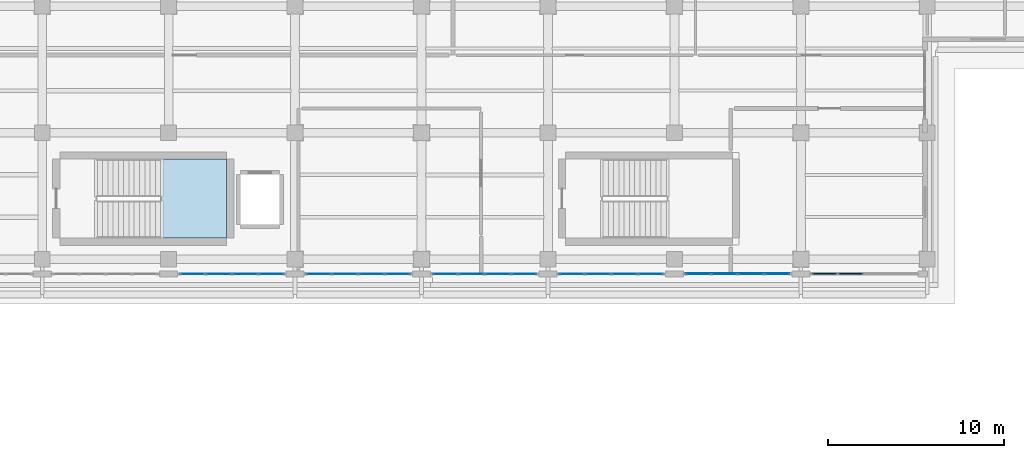
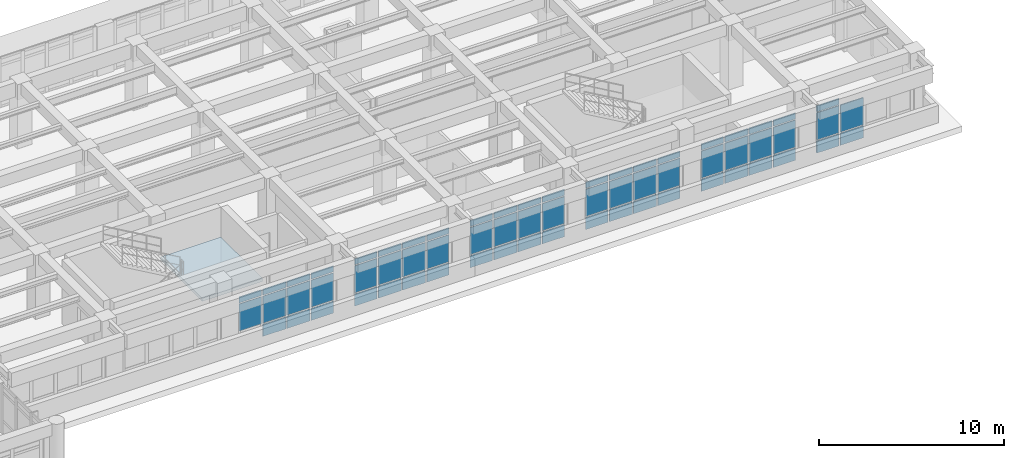
# One storey, part 37 of 69: 64 plates, 1 slab, 7 elements without a shape of their own.
"""IFC4 building model written with IfcOpenShell, lengths in metres."""

from ifc_helpers import new_model, si_unit, direction, frame, origin, origin_2d, place, context, subcontext, project, spatial, polyline, rectangle, outline, extrude, material, layer, layer_set, type_object, element, aggregate, save


model = new_model("IFC4")

# Units and contexts
model_context = context("Model", 3, precision=1e-05, world=origin(), true_north=direction((0.0, 1.0)))
body_context = subcontext(model_context, "Body", "Model", "MODEL_VIEW")
ifc_project = project(units=[si_unit("LENGTHUNIT", "METRE"), si_unit("AREAUNIT", "SQUARE_METRE"), si_unit("VOLUMEUNIT", "CUBIC_METRE"), si_unit("PLANEANGLEUNIT", "RADIAN"), si_unit("MASSUNIT", "GRAM", prefix="KILO")], contexts=[model_context])

# Site, building, storey
site_placement = place(None, origin())
site = spatial("IfcSite", under=ifc_project, at=site_placement, CompositionType="ELEMENT")
building_placement = place(site_placement, origin())
building = spatial("IfcBuilding", under=site, at=building_placement, Name="Solenvale Faculty of Natural Sciences", CompositionType="ELEMENT")
storey_placement = place(building_placement, frame((0.0, 0.0, 4.5)))
storey = spatial("IfcBuildingStorey", under=building, at=storey_placement, Name="L01", CompositionType="ELEMENT", Elevation=4.5)

# Curtain wall, plates
ifc_material_1 = material(Name="Anodised bronze aluminium", Category="aluminium")
ifc_layer_1 = layer(ifc_material_1, 0.18994140625)
ifc_layer_set_1 = layer_set([ifc_layer_1], Name="Anodised bronze aluminium")
curtain_wall_type = type_object("IfcCurtainWallType", Name="CW-TRAY-REC", PredefinedType="USERDEFINED", material=ifc_layer_set_1)
curtain_wall_1_placement = place(storey_placement, origin())
curtain_wall_1 = element("IfcCurtainWall", 1, at=curtain_wall_1_placement, inside=storey, type_object=curtain_wall_type, Name="L01 Curtain Wall CW-L01-P1-E5-B3", ObjectType="UNITISED CURTAIN WALL", PredefinedType="USERDEFINED")
ifc_material_2 = material(Name="Triple low-E insulated glass", Category="glass")
ifc_layer_2 = layer(ifc_material_2, 0.035888671875)
ifc_layer_set_2 = layer_set([ifc_layer_2], Name="Triple low-E insulated glass")
plate_type_1 = type_object("IfcPlateType", Name="CWP-PNL-36", PredefinedType="CURTAIN_PANEL", material=ifc_layer_set_2)
plate_1_placement = place(storey_placement, frame((73.353759765625, 20.762451171875, 0.9375), z_axis=(0.0, 0.0, 1.0), x_axis=(1.0, 0.0, 0.0)))
plate_1 = element("IfcPlate", 2, at=plate_1_placement, type_object=plate_type_1, Name="CW-02 panel 1.2", PredefinedType="CURTAIN_PANEL", context=body_context, shape_type="SweptSolid", body=[
    extrude(rectangle(XDim=1.3974609375, YDim=0.035888671875, at=origin_2d()), origin(), (0.0, 0.0, 1.0), 1.784912109375),
])
plate_2_placement = place(storey_placement, frame((73.353759765625, 20.762451171875, 2.79736328125), z_axis=(0.0, 0.0, 1.0), x_axis=(1.0, 0.0, 0.0)))
plate_2 = element("IfcPlate", 3, at=plate_2_placement, type_object=plate_type_1, Name="CW-02 panel 1.3", PredefinedType="CURTAIN_PANEL", context=body_context, shape_type="SweptSolid", body=[
    extrude(rectangle(XDim=1.3974609375, YDim=0.035888671875, at=origin_2d()), origin(), (0.0, 0.0, 1.0), 0.387451171875),
])
plate_3_placement = place(storey_placement, frame((74.844970703125, 20.762451171875, 0.074951171875), z_axis=(0.0, 0.0, 1.0), x_axis=(1.0, 0.0, 0.0)))
plate_3 = element("IfcPlate", 4, at=plate_3_placement, type_object=plate_type_1, Name="CW-02 panel 2.1", PredefinedType="CURTAIN_PANEL", context=body_context, shape_type="SweptSolid", body=[
    extrude(rectangle(XDim=1.43505859375, YDim=0.035888671875, at=origin_2d()), origin(), (0.0, 0.0, 1.0), 0.78759765625),
])
plate_4_placement = place(storey_placement, frame((74.844970703125, 20.762451171875, 0.9375), z_axis=(0.0, 0.0, 1.0), x_axis=(1.0, 0.0, 0.0)))
plate_4 = element("IfcPlate", 5, at=plate_4_placement, type_object=plate_type_1, Name="CW-02 panel 2.2", PredefinedType="CURTAIN_PANEL", context=body_context, shape_type="SweptSolid", body=[
    extrude(rectangle(XDim=1.43505859375, YDim=0.035888671875, at=origin_2d()), origin(), (0.0, 0.0, 1.0), 1.784912109375),
])
plate_5_placement = place(storey_placement, frame((74.844970703125, 20.762451171875, 2.79736328125), z_axis=(0.0, 0.0, 1.0), x_axis=(1.0, 0.0, 0.0)))
plate_5 = element("IfcPlate", 6, at=plate_5_placement, type_object=plate_type_1, Name="CW-02 panel 2.3", PredefinedType="CURTAIN_PANEL", context=body_context, shape_type="SweptSolid", body=[
    extrude(rectangle(XDim=1.43505859375, YDim=0.035888671875, at=origin_2d()), origin(), (0.0, 0.0, 1.0), 0.387451171875),
])
plate_6_placement = place(storey_placement, frame((76.35498046875, 20.762451171875, 0.074951171875), z_axis=(0.0, 0.0, 1.0), x_axis=(1.0, 0.0, 0.0)))
plate_6 = element("IfcPlate", 7, at=plate_6_placement, type_object=plate_type_1, Name="CW-02 panel 3.1", PredefinedType="CURTAIN_PANEL", context=body_context, shape_type="SweptSolid", body=[
    extrude(rectangle(XDim=1.43505859375, YDim=0.035888671875, at=origin_2d()), origin(), (0.0, 0.0, 1.0), 0.78759765625),
])
plate_7_placement = place(storey_placement, frame((76.35498046875, 20.762451171875, 0.9375), z_axis=(0.0, 0.0, 1.0), x_axis=(1.0, 0.0, 0.0)))
plate_7 = element("IfcPlate", 8, at=plate_7_placement, type_object=plate_type_1, Name="CW-02 panel 3.2", PredefinedType="CURTAIN_PANEL", context=body_context, shape_type="SweptSolid", body=[
    extrude(rectangle(XDim=1.43505859375, YDim=0.035888671875, at=origin_2d()), origin(), (0.0, 0.0, 1.0), 1.784912109375),
])
plate_8_placement = place(storey_placement, frame((76.35498046875, 20.762451171875, 2.79736328125), z_axis=(0.0, 0.0, 1.0), x_axis=(1.0, 0.0, 0.0)))
plate_8 = element("IfcPlate", 9, at=plate_8_placement, type_object=plate_type_1, Name="CW-02 panel 3.3", PredefinedType="CURTAIN_PANEL", context=body_context, shape_type="SweptSolid", body=[
    extrude(rectangle(XDim=1.43505859375, YDim=0.035888671875, at=origin_2d()), origin(), (0.0, 0.0, 1.0), 0.387451171875),
])
plate_9_placement = place(storey_placement, frame((77.84619140625, 20.762451171875, 0.074951171875), z_axis=(0.0, 0.0, 1.0), x_axis=(1.0, 0.0, 0.0)))
plate_9 = element("IfcPlate", 10, at=plate_9_placement, type_object=plate_type_1, Name="CW-02 panel 4.1", PredefinedType="CURTAIN_PANEL", context=body_context, shape_type="SweptSolid", body=[
    extrude(rectangle(XDim=1.3974609375, YDim=0.035888671875, at=origin_2d()), origin(), (0.0, 0.0, 1.0), 0.78759765625),
])
plate_10_placement = place(storey_placement, frame((77.84619140625, 20.762451171875, 0.9375), z_axis=(0.0, 0.0, 1.0), x_axis=(1.0, 0.0, 0.0)))
plate_10 = element("IfcPlate", 11, at=plate_10_placement, type_object=plate_type_1, Name="CW-02 panel 4.2", PredefinedType="CURTAIN_PANEL", context=body_context, shape_type="SweptSolid", body=[
    extrude(rectangle(XDim=1.3974609375, YDim=0.035888671875, at=origin_2d()), origin(), (0.0, 0.0, 1.0), 1.784912109375),
])
plate_11_placement = place(storey_placement, frame((77.84619140625, 20.762451171875, 2.79736328125), z_axis=(0.0, 0.0, 1.0), x_axis=(1.0, 0.0, 0.0)))
plate_11 = element("IfcPlate", 12, at=plate_11_placement, type_object=plate_type_1, Name="CW-02 panel 4.3", PredefinedType="CURTAIN_PANEL", context=body_context, shape_type="SweptSolid", body=[
    extrude(rectangle(XDim=1.3974609375, YDim=0.035888671875, at=origin_2d()), origin(), (0.0, 0.0, 1.0), 0.387451171875),
])
aggregate(curtain_wall_1, [plate_1, plate_2, plate_3, plate_4, plate_5, plate_6, plate_7, plate_8, plate_9, plate_10, plate_11])

curtain_wall_2_placement = place(storey_placement, origin())
curtain_wall_2 = element("IfcCurtainWall", 13, at=curtain_wall_2_placement, inside=storey, type_object=curtain_wall_type, Name="L01 Curtain Wall CW-L01-P1-E5-B4", ObjectType="UNITISED CURTAIN WALL", PredefinedType="USERDEFINED")
ifc_layer_3 = layer(ifc_material_2, 0.0400390625)
ifc_layer_set_3 = layer_set([ifc_layer_3], Name="Triple low-E insulated glass")
plate_type_2 = type_object("IfcPlateType", Name="CWP-PNL-40", PredefinedType="CURTAIN_PANEL", material=ifc_layer_set_3)
plate_12_placement = place(storey_placement, frame((80.5537109375, 20.762451171875, 0.074951171875), z_axis=(0.0, 0.0, 1.0), x_axis=(1.0, 0.0, 0.0)))
plate_12 = element("IfcPlate", 14, at=plate_12_placement, type_object=plate_type_2, Name="CW-02 panel 1.1", PredefinedType="CURTAIN_PANEL", context=body_context, shape_type="SweptSolid", body=[
    extrude(rectangle(XDim=1.3974609375, YDim=0.0400390625, at=origin_2d()), origin(), (0.0, 0.0, 1.0), 0.78759765625),
])
plate_13_placement = place(storey_placement, frame((80.5537109375, 20.762451171875, 0.9375), z_axis=(0.0, 0.0, 1.0), x_axis=(1.0, 0.0, 0.0)))
plate_13 = element("IfcPlate", 15, at=plate_13_placement, type_object=plate_type_2, Name="CW-02 panel 1.2", PredefinedType="CURTAIN_PANEL", context=body_context, shape_type="SweptSolid", body=[
    extrude(rectangle(XDim=1.3974609375, YDim=0.0400390625, at=origin_2d()), origin(), (0.0, 0.0, 1.0), 1.784912109375),
])
plate_14_placement = place(storey_placement, frame((80.5537109375, 20.762451171875, 2.79736328125), z_axis=(0.0, 0.0, 1.0), x_axis=(1.0, 0.0, 0.0)))
plate_14 = element("IfcPlate", 16, at=plate_14_placement, type_object=plate_type_2, Name="CW-02 panel 1.3", PredefinedType="CURTAIN_PANEL", context=body_context, shape_type="SweptSolid", body=[
    extrude(rectangle(XDim=1.3974609375, YDim=0.0400390625, at=origin_2d()), origin(), (0.0, 0.0, 1.0), 0.387451171875),
])
plate_15_placement = place(storey_placement, frame((82.044921875, 20.762451171875, 0.074951171875), z_axis=(0.0, 0.0, 1.0), x_axis=(1.0, 0.0, 0.0)))
plate_15 = element("IfcPlate", 17, at=plate_15_placement, type_object=plate_type_2, Name="CW-02 panel 2.1", PredefinedType="CURTAIN_PANEL", context=body_context, shape_type="SweptSolid", body=[
    extrude(rectangle(XDim=1.43505859375, YDim=0.0400390625, at=origin_2d()), origin(), (0.0, 0.0, 1.0), 0.78759765625),
])
plate_16_placement = place(storey_placement, frame((82.044921875, 20.762451171875, 0.9375), z_axis=(0.0, 0.0, 1.0), x_axis=(1.0, 0.0, 0.0)))
plate_16 = element("IfcPlate", 18, at=plate_16_placement, type_object=plate_type_2, Name="CW-02 panel 2.2", PredefinedType="CURTAIN_PANEL", context=body_context, shape_type="SweptSolid", body=[
    extrude(rectangle(XDim=1.43505859375, YDim=0.0400390625, at=origin_2d()), origin(), (0.0, 0.0, 1.0), 1.784912109375),
])
plate_17_placement = place(storey_placement, frame((82.044921875, 20.762451171875, 2.79736328125), z_axis=(0.0, 0.0, 1.0), x_axis=(1.0, 0.0, 0.0)))
plate_17 = element("IfcPlate", 19, at=plate_17_placement, type_object=plate_type_2, Name="CW-02 panel 2.3", PredefinedType="CURTAIN_PANEL", context=body_context, shape_type="SweptSolid", body=[
    extrude(rectangle(XDim=1.43505859375, YDim=0.0400390625, at=origin_2d()), origin(), (0.0, 0.0, 1.0), 0.387451171875),
])
plate_18_placement = place(storey_placement, frame((83.554931640625, 20.762451171875, 0.074951171875), z_axis=(0.0, 0.0, 1.0), x_axis=(1.0, 0.0, 0.0)))
plate_18 = element("IfcPlate", 20, at=plate_18_placement, type_object=plate_type_2, Name="CW-02 panel 3.1", PredefinedType="CURTAIN_PANEL", context=body_context, shape_type="SweptSolid", body=[
    extrude(rectangle(XDim=1.43505859375, YDim=0.0400390625, at=origin_2d()), origin(), (0.0, 0.0, 1.0), 0.78759765625),
])
plate_19_placement = place(storey_placement, frame((83.554931640625, 20.762451171875, 0.9375), z_axis=(0.0, 0.0, 1.0), x_axis=(1.0, 0.0, 0.0)))
plate_19 = element("IfcPlate", 21, at=plate_19_placement, type_object=plate_type_2, Name="CW-02 panel 3.2", PredefinedType="CURTAIN_PANEL", context=body_context, shape_type="SweptSolid", body=[
    extrude(rectangle(XDim=1.43505859375, YDim=0.0400390625, at=origin_2d()), origin(), (0.0, 0.0, 1.0), 1.784912109375),
])
plate_20_placement = place(storey_placement, frame((83.554931640625, 20.762451171875, 2.79736328125), z_axis=(0.0, 0.0, 1.0), x_axis=(1.0, 0.0, 0.0)))
plate_20 = element("IfcPlate", 22, at=plate_20_placement, type_object=plate_type_2, Name="CW-02 panel 3.3", PredefinedType="CURTAIN_PANEL", context=body_context, shape_type="SweptSolid", body=[
    extrude(rectangle(XDim=1.43505859375, YDim=0.0400390625, at=origin_2d()), origin(), (0.0, 0.0, 1.0), 0.387451171875),
])
plate_21_placement = place(storey_placement, frame((85.046142578125, 20.762451171875, 0.074951171875), z_axis=(0.0, 0.0, 1.0), x_axis=(1.0, 0.0, 0.0)))
plate_21 = element("IfcPlate", 23, at=plate_21_placement, type_object=plate_type_2, Name="CW-02 panel 4.1", PredefinedType="CURTAIN_PANEL", context=body_context, shape_type="SweptSolid", body=[
    extrude(rectangle(XDim=1.3974609375, YDim=0.0400390625, at=origin_2d()), origin(), (0.0, 0.0, 1.0), 0.78759765625),
])
plate_22_placement = place(storey_placement, frame((85.046142578125, 20.762451171875, 0.9375), z_axis=(0.0, 0.0, 1.0), x_axis=(1.0, 0.0, 0.0)))
plate_22 = element("IfcPlate", 24, at=plate_22_placement, type_object=plate_type_2, Name="CW-02 panel 4.2", PredefinedType="CURTAIN_PANEL", context=body_context, shape_type="SweptSolid", body=[
    extrude(rectangle(XDim=1.3974609375, YDim=0.0400390625, at=origin_2d()), origin(), (0.0, 0.0, 1.0), 1.784912109375),
])
plate_23_placement = place(storey_placement, frame((85.046142578125, 20.762451171875, 2.79736328125), z_axis=(0.0, 0.0, 1.0), x_axis=(1.0, 0.0, 0.0)))
plate_23 = element("IfcPlate", 25, at=plate_23_placement, type_object=plate_type_2, Name="CW-02 panel 4.3", PredefinedType="CURTAIN_PANEL", context=body_context, shape_type="SweptSolid", body=[
    extrude(rectangle(XDim=1.3974609375, YDim=0.0400390625, at=origin_2d()), origin(), (0.0, 0.0, 1.0), 0.387451171875),
])
aggregate(curtain_wall_2, [plate_12, plate_13, plate_14, plate_15, plate_16, plate_17, plate_18, plate_19, plate_20, plate_21, plate_22, plate_23])

curtain_wall_3_placement = place(storey_placement, origin())
curtain_wall_3 = element("IfcCurtainWall", 26, at=curtain_wall_3_placement, inside=storey, type_object=curtain_wall_type, Name="L01 Curtain Wall CW-L01-P1-E5-B5", ObjectType="UNITISED CURTAIN WALL", PredefinedType="USERDEFINED")
ifc_layer_4 = layer(ifc_material_2, 0.0439453125)
ifc_layer_set_4 = layer_set([ifc_layer_4], Name="Triple low-E insulated glass")
plate_type_3 = type_object("IfcPlateType", Name="CWP-PNL-44", PredefinedType="CURTAIN_PANEL", material=ifc_layer_set_4)
plate_24_placement = place(storey_placement, frame((87.753662109375, 20.762451171875, 0.074951171875), z_axis=(0.0, 0.0, 1.0), x_axis=(1.0, 0.0, 0.0)))
plate_24 = element("IfcPlate", 27, at=plate_24_placement, type_object=plate_type_3, Name="CW-02 panel 1.1", PredefinedType="CURTAIN_PANEL", context=body_context, shape_type="SweptSolid", body=[
    extrude(rectangle(XDim=1.3974609375, YDim=0.0439453125, at=origin_2d()), origin(), (0.0, 0.0, 1.0), 0.78759765625),
])
plate_25_placement = place(storey_placement, frame((87.753662109375, 20.762451171875, 0.9375), z_axis=(0.0, 0.0, 1.0), x_axis=(1.0, 0.0, 0.0)))
plate_25 = element("IfcPlate", 28, at=plate_25_placement, type_object=plate_type_3, Name="CW-02 panel 1.2", PredefinedType="CURTAIN_PANEL", context=body_context, shape_type="SweptSolid", body=[
    extrude(rectangle(XDim=1.3974609375, YDim=0.0439453125, at=origin_2d()), origin(), (0.0, 0.0, 1.0), 1.784912109375),
])
plate_26_placement = place(storey_placement, frame((87.753662109375, 20.762451171875, 2.79736328125), z_axis=(0.0, 0.0, 1.0), x_axis=(1.0, 0.0, 0.0)))
plate_26 = element("IfcPlate", 29, at=plate_26_placement, type_object=plate_type_3, Name="CW-02 panel 1.3", PredefinedType="CURTAIN_PANEL", context=body_context, shape_type="SweptSolid", body=[
    extrude(rectangle(XDim=1.3974609375, YDim=0.0439453125, at=origin_2d()), origin(), (0.0, 0.0, 1.0), 0.387451171875),
])
plate_27_placement = place(storey_placement, frame((89.2451171875, 20.762451171875, 0.074951171875), z_axis=(0.0, 0.0, 1.0), x_axis=(1.0, 0.0, 0.0)))
plate_27 = element("IfcPlate", 30, at=plate_27_placement, type_object=plate_type_3, Name="CW-02 panel 2.1", PredefinedType="CURTAIN_PANEL", context=body_context, shape_type="SweptSolid", body=[
    extrude(rectangle(XDim=1.43505859375, YDim=0.0439453125, at=origin_2d()), origin(), (0.0, 0.0, 1.0), 0.78759765625),
])
plate_28_placement = place(storey_placement, frame((89.2451171875, 20.762451171875, 0.9375), z_axis=(0.0, 0.0, 1.0), x_axis=(1.0, 0.0, 0.0)))
plate_28 = element("IfcPlate", 31, at=plate_28_placement, type_object=plate_type_3, Name="CW-02 panel 2.2", PredefinedType="CURTAIN_PANEL", context=body_context, shape_type="SweptSolid", body=[
    extrude(rectangle(XDim=1.43505859375, YDim=0.0439453125, at=origin_2d()), origin(), (0.0, 0.0, 1.0), 1.784912109375),
])
plate_29_placement = place(storey_placement, frame((89.2451171875, 20.762451171875, 2.79736328125), z_axis=(0.0, 0.0, 1.0), x_axis=(1.0, 0.0, 0.0)))
plate_29 = element("IfcPlate", 32, at=plate_29_placement, type_object=plate_type_3, Name="CW-02 panel 2.3", PredefinedType="CURTAIN_PANEL", context=body_context, shape_type="SweptSolid", body=[
    extrude(rectangle(XDim=1.43505859375, YDim=0.0439453125, at=origin_2d()), origin(), (0.0, 0.0, 1.0), 0.387451171875),
])
plate_30_placement = place(storey_placement, frame((90.7548828125, 20.762451171875, 0.074951171875), z_axis=(0.0, 0.0, 1.0), x_axis=(1.0, 0.0, 0.0)))
plate_30 = element("IfcPlate", 33, at=plate_30_placement, type_object=plate_type_3, Name="CW-02 panel 3.1", PredefinedType="CURTAIN_PANEL", context=body_context, shape_type="SweptSolid", body=[
    extrude(rectangle(XDim=1.43505859375, YDim=0.0439453125, at=origin_2d()), origin(), (0.0, 0.0, 1.0), 0.78759765625),
])
plate_31_placement = place(storey_placement, frame((90.7548828125, 20.762451171875, 0.9375), z_axis=(0.0, 0.0, 1.0), x_axis=(1.0, 0.0, 0.0)))
plate_31 = element("IfcPlate", 34, at=plate_31_placement, type_object=plate_type_3, Name="CW-02 panel 3.2", PredefinedType="CURTAIN_PANEL", context=body_context, shape_type="SweptSolid", body=[
    extrude(rectangle(XDim=1.43505859375, YDim=0.0439453125, at=origin_2d()), origin(), (0.0, 0.0, 1.0), 1.784912109375),
])
plate_32_placement = place(storey_placement, frame((90.7548828125, 20.762451171875, 2.79736328125), z_axis=(0.0, 0.0, 1.0), x_axis=(1.0, 0.0, 0.0)))
plate_32 = element("IfcPlate", 35, at=plate_32_placement, type_object=plate_type_3, Name="CW-02 panel 3.3", PredefinedType="CURTAIN_PANEL", context=body_context, shape_type="SweptSolid", body=[
    extrude(rectangle(XDim=1.43505859375, YDim=0.0439453125, at=origin_2d()), origin(), (0.0, 0.0, 1.0), 0.387451171875),
])
plate_33_placement = place(storey_placement, frame((92.246337890625, 20.762451171875, 0.074951171875), z_axis=(0.0, 0.0, 1.0), x_axis=(1.0, 0.0, 0.0)))
plate_33 = element("IfcPlate", 36, at=plate_33_placement, type_object=plate_type_3, Name="CW-02 panel 4.1", PredefinedType="CURTAIN_PANEL", context=body_context, shape_type="SweptSolid", body=[
    extrude(rectangle(XDim=1.3974609375, YDim=0.0439453125, at=origin_2d()), origin(), (0.0, 0.0, 1.0), 0.78759765625),
])
plate_34_placement = place(storey_placement, frame((92.246337890625, 20.762451171875, 0.9375), z_axis=(0.0, 0.0, 1.0), x_axis=(1.0, 0.0, 0.0)))
plate_34 = element("IfcPlate", 37, at=plate_34_placement, type_object=plate_type_3, Name="CW-02 panel 4.2", PredefinedType="CURTAIN_PANEL", context=body_context, shape_type="SweptSolid", body=[
    extrude(rectangle(XDim=1.3974609375, YDim=0.0439453125, at=origin_2d()), origin(), (0.0, 0.0, 1.0), 1.784912109375),
])
plate_35_placement = place(storey_placement, frame((92.246337890625, 20.762451171875, 2.79736328125), z_axis=(0.0, 0.0, 1.0), x_axis=(1.0, 0.0, 0.0)))
plate_35 = element("IfcPlate", 38, at=plate_35_placement, type_object=plate_type_3, Name="CW-02 panel 4.3", PredefinedType="CURTAIN_PANEL", context=body_context, shape_type="SweptSolid", body=[
    extrude(rectangle(XDim=1.3974609375, YDim=0.0439453125, at=origin_2d()), origin(), (0.0, 0.0, 1.0), 0.387451171875),
])
aggregate(curtain_wall_3, [plate_24, plate_25, plate_26, plate_27, plate_28, plate_29, plate_30, plate_31, plate_32, plate_33, plate_34, plate_35])

curtain_wall_4_placement = place(storey_placement, origin())
curtain_wall_4 = element("IfcCurtainWall", 39, at=curtain_wall_4_placement, inside=storey, type_object=curtain_wall_type, Name="L01 Curtain Wall CW-L01-P1-E5-B6", ObjectType="UNITISED CURTAIN WALL", PredefinedType="USERDEFINED")
ifc_layer_5 = layer(ifc_material_1, 0.048095703125)
ifc_layer_set_5 = layer_set([ifc_layer_5], Name="Anodised bronze aluminium")
plate_type_4 = type_object("IfcPlateType", Name="CWP-PNL-48", PredefinedType="CURTAIN_PANEL", material=ifc_layer_set_5)
plate_36_placement = place(storey_placement, frame((94.953857421875, 20.762451171875, 0.074951171875), z_axis=(0.0, 0.0, 1.0), x_axis=(1.0, 0.0, 0.0)))
plate_36 = element("IfcPlate", 40, at=plate_36_placement, type_object=plate_type_4, Name="CW-02 panel 1.1", PredefinedType="CURTAIN_PANEL", context=body_context, shape_type="SweptSolid", body=[
    extrude(rectangle(XDim=1.3974609375, YDim=0.048095703125, at=origin_2d()), origin(), (0.0, 0.0, 1.0), 0.78759765625),
])
plate_37_placement = place(storey_placement, frame((94.953857421875, 20.762451171875, 0.9375), z_axis=(0.0, 0.0, 1.0), x_axis=(1.0, 0.0, 0.0)))
plate_37 = element("IfcPlate", 41, at=plate_37_placement, type_object=plate_type_4, Name="CW-02 panel 1.2", PredefinedType="CURTAIN_PANEL", context=body_context, shape_type="SweptSolid", body=[
    extrude(rectangle(XDim=1.3974609375, YDim=0.048095703125, at=origin_2d()), origin(), (0.0, 0.0, 1.0), 1.784912109375),
])
plate_38_placement = place(storey_placement, frame((94.953857421875, 20.762451171875, 2.79736328125), z_axis=(0.0, 0.0, 1.0), x_axis=(1.0, 0.0, 0.0)))
plate_38 = element("IfcPlate", 42, at=plate_38_placement, type_object=plate_type_4, Name="CW-02 panel 1.3", PredefinedType="CURTAIN_PANEL", context=body_context, shape_type="SweptSolid", body=[
    extrude(rectangle(XDim=1.3974609375, YDim=0.048095703125, at=origin_2d()), origin(), (0.0, 0.0, 1.0), 0.387451171875),
])
plate_39_placement = place(storey_placement, frame((96.445068359375, 20.762451171875, 0.074951171875), z_axis=(0.0, 0.0, 1.0), x_axis=(1.0, 0.0, 0.0)))
plate_39 = element("IfcPlate", 43, at=plate_39_placement, type_object=plate_type_4, Name="CW-02 panel 2.1", PredefinedType="CURTAIN_PANEL", context=body_context, shape_type="SweptSolid", body=[
    extrude(rectangle(XDim=1.43505859375, YDim=0.048095703125, at=origin_2d()), origin(), (0.0, 0.0, 1.0), 0.78759765625),
])
plate_40_placement = place(storey_placement, frame((96.445068359375, 20.762451171875, 0.9375), z_axis=(0.0, 0.0, 1.0), x_axis=(1.0, 0.0, 0.0)))
plate_40 = element("IfcPlate", 44, at=plate_40_placement, type_object=plate_type_4, Name="CW-02 panel 2.2", PredefinedType="CURTAIN_PANEL", context=body_context, shape_type="SweptSolid", body=[
    extrude(rectangle(XDim=1.43505859375, YDim=0.048095703125, at=origin_2d()), origin(), (0.0, 0.0, 1.0), 1.784912109375),
])
plate_41_placement = place(storey_placement, frame((96.445068359375, 20.762451171875, 2.79736328125), z_axis=(0.0, 0.0, 1.0), x_axis=(1.0, 0.0, 0.0)))
plate_41 = element("IfcPlate", 45, at=plate_41_placement, type_object=plate_type_4, Name="CW-02 panel 2.3", PredefinedType="CURTAIN_PANEL", context=body_context, shape_type="SweptSolid", body=[
    extrude(rectangle(XDim=1.43505859375, YDim=0.048095703125, at=origin_2d()), origin(), (0.0, 0.0, 1.0), 0.387451171875),
])
plate_42_placement = place(storey_placement, frame((97.955078125, 20.762451171875, 0.074951171875), z_axis=(0.0, 0.0, 1.0), x_axis=(1.0, 0.0, 0.0)))
plate_42 = element("IfcPlate", 46, at=plate_42_placement, type_object=plate_type_4, Name="CW-02 panel 3.1", PredefinedType="CURTAIN_PANEL", context=body_context, shape_type="SweptSolid", body=[
    extrude(rectangle(XDim=1.43505859375, YDim=0.048095703125, at=origin_2d()), origin(), (0.0, 0.0, 1.0), 0.78759765625),
])
plate_43_placement = place(storey_placement, frame((97.955078125, 20.762451171875, 0.9375), z_axis=(0.0, 0.0, 1.0), x_axis=(1.0, 0.0, 0.0)))
plate_43 = element("IfcPlate", 47, at=plate_43_placement, type_object=plate_type_4, Name="CW-02 panel 3.2", PredefinedType="CURTAIN_PANEL", context=body_context, shape_type="SweptSolid", body=[
    extrude(rectangle(XDim=1.43505859375, YDim=0.048095703125, at=origin_2d()), origin(), (0.0, 0.0, 1.0), 1.784912109375),
])
plate_44_placement = place(storey_placement, frame((97.955078125, 20.762451171875, 2.79736328125), z_axis=(0.0, 0.0, 1.0), x_axis=(1.0, 0.0, 0.0)))
plate_44 = element("IfcPlate", 48, at=plate_44_placement, type_object=plate_type_4, Name="CW-02 panel 3.3", PredefinedType="CURTAIN_PANEL", context=body_context, shape_type="SweptSolid", body=[
    extrude(rectangle(XDim=1.43505859375, YDim=0.048095703125, at=origin_2d()), origin(), (0.0, 0.0, 1.0), 0.387451171875),
])
plate_45_placement = place(storey_placement, frame((99.4462890625, 20.762451171875, 0.074951171875), z_axis=(0.0, 0.0, 1.0), x_axis=(1.0, 0.0, 0.0)))
plate_45 = element("IfcPlate", 49, at=plate_45_placement, type_object=plate_type_4, Name="CW-02 panel 4.1", PredefinedType="CURTAIN_PANEL", context=body_context, shape_type="SweptSolid", body=[
    extrude(rectangle(XDim=1.3974609375, YDim=0.048095703125, at=origin_2d()), origin(), (0.0, 0.0, 1.0), 0.78759765625),
])
plate_46_placement = place(storey_placement, frame((99.4462890625, 20.762451171875, 0.9375), z_axis=(0.0, 0.0, 1.0), x_axis=(1.0, 0.0, 0.0)))
plate_46 = element("IfcPlate", 50, at=plate_46_placement, type_object=plate_type_4, Name="CW-02 panel 4.2", PredefinedType="CURTAIN_PANEL", context=body_context, shape_type="SweptSolid", body=[
    extrude(rectangle(XDim=1.3974609375, YDim=0.048095703125, at=origin_2d()), origin(), (0.0, 0.0, 1.0), 1.784912109375),
])
plate_47_placement = place(storey_placement, frame((99.4462890625, 20.762451171875, 2.79736328125), z_axis=(0.0, 0.0, 1.0), x_axis=(1.0, 0.0, 0.0)))
plate_47 = element("IfcPlate", 51, at=plate_47_placement, type_object=plate_type_4, Name="CW-02 panel 4.3", PredefinedType="CURTAIN_PANEL", context=body_context, shape_type="SweptSolid", body=[
    extrude(rectangle(XDim=1.3974609375, YDim=0.048095703125, at=origin_2d()), origin(), (0.0, 0.0, 1.0), 0.387451171875),
])
aggregate(curtain_wall_4, [plate_36, plate_37, plate_38, plate_39, plate_40, plate_41, plate_42, plate_43, plate_44, plate_45, plate_46, plate_47])

curtain_wall_5_placement = place(storey_placement, origin())
curtain_wall_5 = element("IfcCurtainWall", 52, at=curtain_wall_5_placement, inside=storey, type_object=curtain_wall_type, Name="L01 Curtain Wall CW-L01-P1-E5-B7", ObjectType="UNITISED CURTAIN WALL", PredefinedType="USERDEFINED")
ifc_layer_6 = layer(ifc_material_1, 0.053955078125)
ifc_layer_set_6 = layer_set([ifc_layer_6], Name="Anodised bronze aluminium")
plate_type_5 = type_object("IfcPlateType", Name="CWP-PNL-54", PredefinedType="CURTAIN_PANEL", material=ifc_layer_set_6)
plate_48_placement = place(storey_placement, frame((102.15380859375, 20.762451171875, 0.074951171875), z_axis=(0.0, 0.0, 1.0), x_axis=(1.0, 0.0, 0.0)))
plate_48 = element("IfcPlate", 53, at=plate_48_placement, type_object=plate_type_5, Name="CW-02 panel 1.1", PredefinedType="CURTAIN_PANEL", context=body_context, shape_type="SweptSolid", body=[
    extrude(rectangle(XDim=1.3974609375, YDim=0.053955078125, at=origin_2d()), origin(), (0.0, 0.0, 1.0), 0.78759765625),
])
plate_49_placement = place(storey_placement, frame((102.15380859375, 20.762451171875, 0.9375), z_axis=(0.0, 0.0, 1.0), x_axis=(1.0, 0.0, 0.0)))
plate_49 = element("IfcPlate", 54, at=plate_49_placement, type_object=plate_type_5, Name="CW-02 panel 1.2", PredefinedType="CURTAIN_PANEL", context=body_context, shape_type="SweptSolid", body=[
    extrude(rectangle(XDim=1.3974609375, YDim=0.053955078125, at=origin_2d()), origin(), (0.0, 0.0, 1.0), 1.784912109375),
])
plate_50_placement = place(storey_placement, frame((102.15380859375, 20.762451171875, 2.79736328125), z_axis=(0.0, 0.0, 1.0), x_axis=(1.0, 0.0, 0.0)))
plate_50 = element("IfcPlate", 55, at=plate_50_placement, type_object=plate_type_5, Name="CW-02 panel 1.3", PredefinedType="CURTAIN_PANEL", context=body_context, shape_type="SweptSolid", body=[
    extrude(rectangle(XDim=1.3974609375, YDim=0.053955078125, at=origin_2d()), origin(), (0.0, 0.0, 1.0), 0.387451171875),
])
plate_51_placement = place(storey_placement, frame((103.64501953125, 20.762451171875, 0.074951171875), z_axis=(0.0, 0.0, 1.0), x_axis=(1.0, 0.0, 0.0)))
plate_51 = element("IfcPlate", 56, at=plate_51_placement, type_object=plate_type_5, Name="CW-02 panel 2.1", PredefinedType="CURTAIN_PANEL", context=body_context, shape_type="SweptSolid", body=[
    extrude(rectangle(XDim=1.43505859375, YDim=0.053955078125, at=origin_2d()), origin(), (0.0, 0.0, 1.0), 0.78759765625),
])
plate_52_placement = place(storey_placement, frame((103.64501953125, 20.762451171875, 0.9375), z_axis=(0.0, 0.0, 1.0), x_axis=(1.0, 0.0, 0.0)))
plate_52 = element("IfcPlate", 57, at=plate_52_placement, type_object=plate_type_5, Name="CW-02 panel 2.2", PredefinedType="CURTAIN_PANEL", context=body_context, shape_type="SweptSolid", body=[
    extrude(rectangle(XDim=1.43505859375, YDim=0.053955078125, at=origin_2d()), origin(), (0.0, 0.0, 1.0), 1.784912109375),
])
plate_53_placement = place(storey_placement, frame((103.64501953125, 20.762451171875, 2.79736328125), z_axis=(0.0, 0.0, 1.0), x_axis=(1.0, 0.0, 0.0)))
plate_53 = element("IfcPlate", 58, at=plate_53_placement, type_object=plate_type_5, Name="CW-02 panel 2.3", PredefinedType="CURTAIN_PANEL", context=body_context, shape_type="SweptSolid", body=[
    extrude(rectangle(XDim=1.43505859375, YDim=0.053955078125, at=origin_2d()), origin(), (0.0, 0.0, 1.0), 0.387451171875),
])
plate_54_placement = place(storey_placement, frame((105.155029296875, 20.762451171875, 0.074951171875), z_axis=(0.0, 0.0, 1.0), x_axis=(1.0, 0.0, 0.0)))
plate_54 = element("IfcPlate", 59, at=plate_54_placement, type_object=plate_type_5, Name="CW-02 panel 3.1", PredefinedType="CURTAIN_PANEL", context=body_context, shape_type="SweptSolid", body=[
    extrude(rectangle(XDim=1.43505859375, YDim=0.053955078125, at=origin_2d()), origin(), (0.0, 0.0, 1.0), 0.78759765625),
])
plate_55_placement = place(storey_placement, frame((105.155029296875, 20.762451171875, 0.9375), z_axis=(0.0, 0.0, 1.0), x_axis=(1.0, 0.0, 0.0)))
plate_55 = element("IfcPlate", 60, at=plate_55_placement, type_object=plate_type_5, Name="CW-02 panel 3.2", PredefinedType="CURTAIN_PANEL", context=body_context, shape_type="SweptSolid", body=[
    extrude(rectangle(XDim=1.43505859375, YDim=0.053955078125, at=origin_2d()), origin(), (0.0, 0.0, 1.0), 1.784912109375),
])
plate_56_placement = place(storey_placement, frame((105.155029296875, 20.762451171875, 2.79736328125), z_axis=(0.0, 0.0, 1.0), x_axis=(1.0, 0.0, 0.0)))
plate_56 = element("IfcPlate", 61, at=plate_56_placement, type_object=plate_type_5, Name="CW-02 panel 3.3", PredefinedType="CURTAIN_PANEL", context=body_context, shape_type="SweptSolid", body=[
    extrude(rectangle(XDim=1.43505859375, YDim=0.053955078125, at=origin_2d()), origin(), (0.0, 0.0, 1.0), 0.387451171875),
])
plate_57_placement = place(storey_placement, frame((106.646240234375, 20.762451171875, 0.074951171875), z_axis=(0.0, 0.0, 1.0), x_axis=(1.0, 0.0, 0.0)))
plate_57 = element("IfcPlate", 62, at=plate_57_placement, type_object=plate_type_5, Name="CW-02 panel 4.1", PredefinedType="CURTAIN_PANEL", context=body_context, shape_type="SweptSolid", body=[
    extrude(rectangle(XDim=1.3974609375, YDim=0.053955078125, at=origin_2d()), origin(), (0.0, 0.0, 1.0), 0.78759765625),
])
plate_58_placement = place(storey_placement, frame((106.646240234375, 20.762451171875, 0.9375), z_axis=(0.0, 0.0, 1.0), x_axis=(1.0, 0.0, 0.0)))
plate_58 = element("IfcPlate", 63, at=plate_58_placement, type_object=plate_type_5, Name="CW-02 panel 4.2", PredefinedType="CURTAIN_PANEL", context=body_context, shape_type="SweptSolid", body=[
    extrude(rectangle(XDim=1.3974609375, YDim=0.053955078125, at=origin_2d()), origin(), (0.0, 0.0, 1.0), 1.784912109375),
])
plate_59_placement = place(storey_placement, frame((106.646240234375, 20.762451171875, 2.79736328125), z_axis=(0.0, 0.0, 1.0), x_axis=(1.0, 0.0, 0.0)))
plate_59 = element("IfcPlate", 64, at=plate_59_placement, type_object=plate_type_5, Name="CW-02 panel 4.3", PredefinedType="CURTAIN_PANEL", context=body_context, shape_type="SweptSolid", body=[
    extrude(rectangle(XDim=1.3974609375, YDim=0.053955078125, at=origin_2d()), origin(), (0.0, 0.0, 1.0), 0.387451171875),
])
aggregate(curtain_wall_5, [plate_48, plate_49, plate_50, plate_51, plate_52, plate_53, plate_54, plate_55, plate_56, plate_57, plate_58, plate_59])

curtain_wall_6_placement = place(storey_placement, origin())
curtain_wall_6 = element("IfcCurtainWall", 65, at=curtain_wall_6_placement, inside=storey, type_object=curtain_wall_type, Name="L01 Curtain Wall CW-L01-P1-E5-B8", ObjectType="UNITISED CURTAIN WALL", PredefinedType="USERDEFINED")
ifc_layer_7 = layer(ifc_material_1, 0.06005859375)
ifc_layer_set_7 = layer_set([ifc_layer_7], Name="Anodised bronze aluminium")
plate_type_6 = type_object("IfcPlateType", Name="CWP-PNL-60", PredefinedType="CURTAIN_PANEL", material=ifc_layer_set_7)
plate_60_placement = place(storey_placement, frame((109.353759765625, 20.762451171875, 0.074951171875), z_axis=(0.0, 0.0, 1.0), x_axis=(1.0, 0.0, 0.0)))
plate_60 = element("IfcPlate", 66, at=plate_60_placement, type_object=plate_type_6, Name="CW-02 panel 1.1", PredefinedType="CURTAIN_PANEL", context=body_context, shape_type="SweptSolid", body=[
    extrude(rectangle(XDim=1.3974609375, YDim=0.06005859375, at=origin_2d()), origin(), (0.0, 0.0, 1.0), 0.78759765625),
])
plate_61_placement = place(storey_placement, frame((109.353759765625, 20.762451171875, 0.9375), z_axis=(0.0, 0.0, 1.0), x_axis=(1.0, 0.0, 0.0)))
plate_61 = element("IfcPlate", 67, at=plate_61_placement, type_object=plate_type_6, Name="CW-02 panel 1.2", PredefinedType="CURTAIN_PANEL", context=body_context, shape_type="SweptSolid", body=[
    extrude(rectangle(XDim=1.3974609375, YDim=0.06005859375, at=origin_2d()), origin(), (0.0, 0.0, 1.0), 1.784912109375),
])
plate_62_placement = place(storey_placement, frame((109.353759765625, 20.762451171875, 2.79736328125), z_axis=(0.0, 0.0, 1.0), x_axis=(1.0, 0.0, 0.0)))
plate_62 = element("IfcPlate", 68, at=plate_62_placement, type_object=plate_type_6, Name="CW-02 panel 1.3", PredefinedType="CURTAIN_PANEL", context=body_context, shape_type="SweptSolid", body=[
    extrude(rectangle(XDim=1.3974609375, YDim=0.06005859375, at=origin_2d()), origin(), (0.0, 0.0, 1.0), 0.387451171875),
])
plate_63_placement = place(storey_placement, frame((110.844970703125, 20.762451171875, 0.074951171875), z_axis=(0.0, 0.0, 1.0), x_axis=(1.0, 0.0, 0.0)))
plate_63 = element("IfcPlate", 69, at=plate_63_placement, type_object=plate_type_6, Name="CW-02 panel 2.1", PredefinedType="CURTAIN_PANEL", context=body_context, shape_type="SweptSolid", body=[
    extrude(rectangle(XDim=1.43505859375, YDim=0.06005859375, at=origin_2d()), origin(), (0.0, 0.0, 1.0), 0.78759765625),
])
plate_64_placement = place(storey_placement, frame((110.844970703125, 20.762451171875, 0.9375), z_axis=(0.0, 0.0, 1.0), x_axis=(1.0, 0.0, 0.0)))
plate_64 = element("IfcPlate", 70, at=plate_64_placement, type_object=plate_type_6, Name="CW-02 panel 2.2", PredefinedType="CURTAIN_PANEL", context=body_context, shape_type="SweptSolid", body=[
    extrude(rectangle(XDim=1.43505859375, YDim=0.06005859375, at=origin_2d()), origin(), (0.0, 0.0, 1.0), 1.784912109375),
])
aggregate(curtain_wall_6, [plate_60, plate_61, plate_62, plate_63, plate_64])

# Stair, slab
ifc_material_3 = material(Name="Concrete 40 MPa", Category="concrete")
stair_type = type_object("IfcStairType", Name="STR-CORE-25R", PredefinedType="DOUBLE_RETURN_STAIR", material=ifc_material_3)
stair_placement = place(storey_placement, origin())
stair = element("IfcStair", 71, at=stair_placement, inside=storey, type_object=stair_type, Name="L01 Protected Exit Stair ST-03", PredefinedType="DOUBLE_RETURN_STAIR")
ifc_layer_8 = layer(ifc_material_3, 0.195068359375)
ifc_layer_set_8 = layer_set([ifc_layer_8], Name="Concrete 40 MPa")
slab_type = type_object("IfcSlabType", Name="SL-LND-195", PredefinedType="LANDING", material=ifc_layer_set_8)
slab_placement = place(storey_placement, frame((0.0, 0.0, 2.050048828125)))
slab = element("IfcSlab", 72, at=slab_placement, type_object=slab_type, Name="ST-03 landing 1", PredefinedType="LANDING", context=body_context, shape_type="SweptSolid", body=[
    extrude(outline(polyline([(71.5400390625, 22.800048828125), (75.300048828125, 22.800048828125), (75.300048828125, 27.300048828125), (71.5400390625, 27.300048828125), (71.5400390625, 22.800048828125)])), origin(), (0.0, 0.0, 1.0), 0.199951171875),
])
aggregate(stair, [slab])

save(model, "model.ifc")
